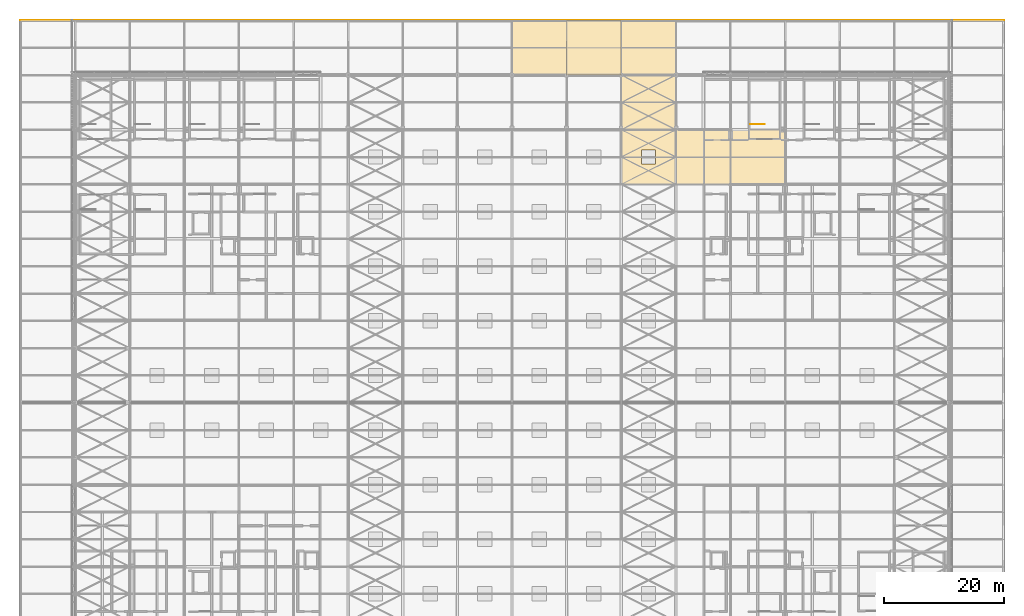
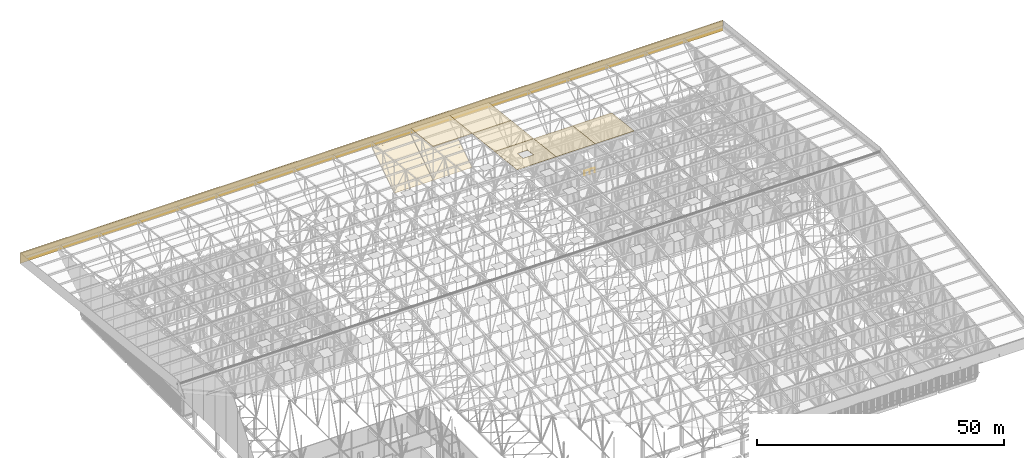
# One storey, part 481 of 500: 9 coverings, 1 railing.
"""IFC4 building model written with IfcOpenShell, lengths in metres."""

from ifc_helpers import new_model, si_unit, direction, frame, origin, origin_2d, place, context, subcontext, project, spatial, polyline, rectangle, circle, outline, extrude, material, layer, layer_set, type_object, element, save


model = new_model("IFC4")

# Units and contexts
model_context = context("Model", 3, precision=1e-05, world=origin(), true_north=direction((0.0, 1.0)))
body_context = subcontext(model_context, "Body", "Model", "MODEL_VIEW")
ifc_project = project(units=[si_unit("LENGTHUNIT", "METRE"), si_unit("AREAUNIT", "SQUARE_METRE"), si_unit("VOLUMEUNIT", "CUBIC_METRE"), si_unit("PLANEANGLEUNIT", "RADIAN"), si_unit("MASSUNIT", "GRAM", prefix="KILO")], contexts=[model_context])

# Site, building, storey
site_placement = place(None, origin())
site = spatial("IfcSite", under=ifc_project, at=site_placement, CompositionType="ELEMENT")
building_placement = place(site_placement, origin())
building = spatial("IfcBuilding", under=site, at=building_placement, Name="Shirokan Park Arena", CompositionType="ELEMENT")
storey_placement = place(building_placement, frame((0.0, 0.0, 29.1201171875)))
storey = spatial("IfcBuildingStorey", under=building, at=storey_placement, Name="L06", CompositionType="ELEMENT", Elevation=29.1201171875)

# Coverings
ifc_material_1 = material(Name="Bituminous roofing membrane")
ifc_layer_1 = layer(ifc_material_1, 0.010009765625, Name="Bituminous roofing membrane")
ifc_material_2 = material(Name="Mineral wool insulation")
ifc_layer_2 = layer(ifc_material_2, 0.050048828125, Name="Mineral wool insulation")
ifc_layer_set_1 = layer_set([ifc_layer_1, ifc_layer_2], Name="Bituminous roofing membrane + Mineral wool insulation")
covering_type_1 = type_object("IfcCoveringType", Name="Roofing membrane 60", PredefinedType="ROOFING", material=ifc_layer_set_1)
covering_1_placement = place(storey_placement, frame((81.89990234375, 109.199951171875, 12.9306640625), z_axis=(0.0, 0.113549598152, 0.993532328996), x_axis=(1.0, 0.0, 0.0)))
element("IfcCovering", 1, at=covering_1_placement, inside=storey, type_object=covering_type_1, Name="Roofing", PredefinedType="ROOFING", context=body_context, shape_type="SweptSolid", body=[
    extrude(outline(polyline([(0.0, 0.0), (9.10009765625, 0.0), (9.10009765625, 9.15933723611117), (0.0, 9.15933723611117), (0.0, 0.0)])), origin(), (0.0, 0.0, -1.0), 0.06005859375),
])
covering_2_placement = place(storey_placement, frame((91.0, 91.0, 15.0107421875), z_axis=(0.0, 0.113549598152, 0.993532328996), x_axis=(1.0, 0.0, 0.0)))
element("IfcCovering", 2, at=covering_2_placement, inside=storey, type_object=covering_type_1, Name="Roofing", PredefinedType="ROOFING", context=body_context, shape_type="SweptSolid", body=[
    extrude(outline(polyline([(0.0, 0.0), (9.10009765625, 0.0), (9.10009765625, 9.15933723611117), (0.0, 9.15933723611117), (0.0, 0.0)]), holes=[polyline([(5.75, 3.371926254389353), (5.75, 5.78743870379168), (3.35009765625, 5.78743870379168), (3.35009765625, 3.371926254389353), (5.75, 3.371926254389353)])]), origin(), (0.0, 0.0, -1.0), 0.06005859375),
])
covering_3_placement = place(storey_placement, frame((91.0, 100.10009765625, 13.970703125), z_axis=(0.0, 0.113552605302, 0.993531985308), x_axis=(1.0, 0.0, 0.0)))
element("IfcCovering", 3, at=covering_3_placement, inside=storey, type_object=covering_type_1, Name="Roofing", PredefinedType="ROOFING", context=body_context, shape_type="SweptSolid", body=[
    extrude(outline(polyline([(0.0, 0.0), (9.10009765625, 0.0), (9.10009765625, 9.159094674549367), (0.0, 9.159094674549367), (0.0, 0.0)])), origin(), (0.0, 0.0, -1.0), 0.06005859375),
])
covering_4_placement = place(storey_placement, frame((91.0, 109.199951171875, 12.9306640625), z_axis=(0.0, 0.113549598152, 0.993532328996), x_axis=(1.0, 0.0, 0.0)))
element("IfcCovering", 4, at=covering_4_placement, inside=storey, type_object=covering_type_1, Name="Roofing", PredefinedType="ROOFING", context=body_context, shape_type="SweptSolid", body=[
    extrude(outline(polyline([(0.0, 0.0), (9.10009765625, 0.0), (9.10009765625, 9.15933723611117), (0.0, 9.15933723611117), (0.0, 0.0)])), origin(), (0.0, 0.0, -1.0), 0.06005859375),
])
covering_5_placement = place(storey_placement, frame((100.10009765625, 91.0, 15.0107421875), z_axis=(0.0, 0.113549598152, 0.993532328996), x_axis=(1.0, 0.0, 0.0)))
element("IfcCovering", 5, at=covering_5_placement, inside=storey, type_object=covering_type_1, Name="Roofing", PredefinedType="ROOFING", context=body_context, shape_type="SweptSolid", body=[
    extrude(outline(polyline([(0.0, 0.0), (9.099853515625, 0.0), (9.099853515625, 9.15933723611117), (0.0, 9.15933723611117), (0.0, 0.0)])), origin(), (0.0, 0.0, -1.0), 0.06005859375),
])
covering_6_placement = place(storey_placement, frame((109.199951171875, 91.0, 15.0107421875), z_axis=(0.0, 0.113549598152, 0.993532328996), x_axis=(1.0, 0.0, 0.0)))
element("IfcCovering", 6, at=covering_6_placement, inside=storey, type_object=covering_type_1, Name="Roofing", PredefinedType="ROOFING", context=body_context, shape_type="SweptSolid", body=[
    extrude(outline(polyline([(0.0, 0.0), (9.10009765625, 0.0), (9.10009765625, 9.15933723611117), (0.0, 9.15933723611117), (0.0, 0.0)])), origin(), (0.0, 0.0, -1.0), 0.06005859375),
])

# Railing
ifc_material_3 = material(Name="Stainless steel", Category="steel")
railing_type = type_object("IfcRailingType", Name="Stair well guard 1100", PredefinedType="GUARDRAIL", material=ifc_material_3)
railing_placement = place(storey_placement, frame((112.5, 101.0, 0.0)))
element("IfcRailing", 7, at=railing_placement, inside=storey, type_object=railing_type, Name="Guard Exit Stair 3.D L06", PredefinedType="GUARDRAIL", context=body_context, shape_type="SweptSolid", body=[
    extrude(circle(Radius=0.02490234375, at=origin_2d()), frame((0.0, 0.0, 1.0771484375), z_axis=(1.0, 0.0, 0.0), x_axis=(0.0, 1.0, 0.0)), (0.0, 0.0, 1.0), 2.39990234375),
    extrude(circle(Radius=0.02490234375, at=origin_2d()), origin(), (0.0, 0.0, 1.0), 1.052001953125),
    extrude(circle(Radius=0.02490234375, at=origin_2d()), frame((1.199951171875, 0.0, 0.0)), (0.0, 0.0, 1.0), 1.052001953125),
    extrude(circle(Radius=0.02490234375, at=origin_2d()), frame((2.39990234375, 0.0, 0.0)), (0.0, 0.0, 1.0), 1.052001953125),
])

# Coverings
ifc_material_4 = material(Name="Timber soffit boards (cedar)", Category="wood")
ifc_layer_3 = layer(ifc_material_4, 0.030029296875)
ifc_layer_set_2 = layer_set([ifc_layer_3], Name="Timber soffit boards (cedar) 30 mm")
covering_type_2 = type_object("IfcCoveringType", Name="Timber boarded soffit panel", PredefinedType="CLADDING", material=ifc_layer_set_2)
covering_7_placement = place(storey_placement, origin())
element("IfcCovering", 8, at=covering_7_placement, inside=storey, type_object=covering_type_2, Name="Eave soffit north bay 9", PredefinedType="CLADDING", context=body_context, shape_type="SweptSolid", body=[
    extrude(outline(polyline([(0.0, 0.0), (0.14269332184793307, 0.0), (0.14269332184793307, -9.100000000000009), (0.0, -9.100000000000009), (0.0, 0.0)])), frame((81.89990234375, 109.320068359375, 4.60302734375), z_axis=(0.0, -0.541090493936, 0.840964373426), x_axis=(0.0, -0.840964373426, -0.541090493936)), (0.0, 0.0, -1.0), 0.030029296875),
    extrude(outline(polyline([(0.0, 0.0), (0.1426933218479331, 0.0), (0.1426933218479331, -9.10000000000001), (0.0, -9.10000000000001), (0.0, 0.0)])), frame((72.800048828125, 118.179931640625, 10.3037109375), z_axis=(0.0, -0.541090493936, 0.840964373426), x_axis=(0.0, 0.840964373426, 0.541090493936)), (0.0, 0.0, -1.0), 0.030029296875),
    extrude(outline(polyline([(0.0, 0.0), (0.12000000000000455, 0.0), (0.12000000000000455, -10.535473996759716), (0.0, -10.535473996759716), (0.0, 0.0)])), frame((81.89990234375, 109.320068359375, 4.60302734375), z_axis=(0.0, -0.541084340558, 0.84096833258), x_axis=(-1.0, 0.0, 0.0)), (0.0, 0.0, -1.0), 0.030029296875),
    extrude(outline(polyline([(0.0, 0.0), (0.12000000000000455, 0.0), (0.12000000000000455, -10.535473996759716), (0.0, -10.535473996759716), (0.0, 0.0)])), frame((72.800048828125, 118.179931640625, 10.3037109375), z_axis=(0.0, -0.541084340558, 0.84096833258), x_axis=(1.0, 0.0, 0.0)), (0.0, 0.0, -1.0), 0.030029296875),
    extrude(outline(polyline([(0.0, 0.0), (10.535473996759718, 0.0), (10.535473996759718, -0.183329999999998), (0.0, -0.183329999999998), (0.0, 0.0)])), frame((73.103271484375, 118.179931640625, 10.3037109375), z_axis=(0.0, -0.541084340558, 0.84096833258), x_axis=(0.0, -0.84096833258, -0.541084340558)), (0.0, 0.0, -1.0), 0.030029296875),
    extrude(outline(polyline([(0.0, 0.0), (10.535473996759718, 0.0), (10.535473996759718, -0.3033400000000057), (0.0, -0.3033400000000057), (0.0, 0.0)])), frame((73.40673828125, 118.179931640625, 10.3037109375), z_axis=(0.0, -0.541084340558, 0.84096833258), x_axis=(0.0, -0.84096833258, -0.541084340558)), (0.0, 0.0, -1.0), 0.030029296875),
    extrude(outline(polyline([(0.0, 0.0), (10.535473996759718, 0.0), (10.535473996759718, -0.30332999999998833), (0.0, -0.30332999999998833), (0.0, 0.0)])), frame((73.7099609375, 118.179931640625, 10.3037109375), z_axis=(0.0, -0.541084340558, 0.84096833258), x_axis=(0.0, -0.84096833258, -0.541084340558)), (0.0, 0.0, -1.0), 0.030029296875),
    extrude(outline(polyline([(0.0, 0.0), (10.535473996759718, 0.0), (10.535473996759718, -0.30333000000000254), (0.0, -0.30333000000000254), (0.0, 0.0)])), frame((74.013427734375, 118.179931640625, 10.3037109375), z_axis=(0.0, -0.541084340558, 0.84096833258), x_axis=(0.0, -0.84096833258, -0.541084340558)), (0.0, 0.0, -1.0), 0.030029296875),
    extrude(outline(polyline([(0.0, 0.0), (10.535473996759718, 0.0), (10.535473996759718, -0.3033400000000057), (0.0, -0.3033400000000057), (0.0, 0.0)])), frame((74.316650390625, 118.179931640625, 10.3037109375), z_axis=(0.0, -0.541084340558, 0.84096833258), x_axis=(0.0, -0.84096833258, -0.541084340558)), (0.0, 0.0, -1.0), 0.030029296875),
    extrude(outline(polyline([(0.0, 0.0), (10.535473996759718, 0.0), (10.535473996759718, -0.30333000000000254), (0.0, -0.30333000000000254), (0.0, 0.0)])), frame((74.6201171875, 118.179931640625, 10.3037109375), z_axis=(0.0, -0.541084340558, 0.84096833258), x_axis=(0.0, -0.84096833258, -0.541084340558)), (0.0, 0.0, -1.0), 0.030029296875),
    extrude(outline(polyline([(0.0, 0.0), (10.535473996759718, 0.0), (10.535473996759718, -0.30333000000000254), (0.0, -0.30333000000000254), (0.0, 0.0)])), frame((74.92333984375, 118.179931640625, 10.3037109375), z_axis=(0.0, -0.541084340558, 0.84096833258), x_axis=(0.0, -0.84096833258, -0.541084340558)), (0.0, 0.0, -1.0), 0.030029296875),
    extrude(outline(polyline([(0.0, 0.0), (10.535473996759718, 0.0), (10.535473996759718, -0.3033399999999915), (0.0, -0.3033399999999915), (0.0, 0.0)])), frame((75.2265625, 118.179931640625, 10.3037109375), z_axis=(0.0, -0.541084340558, 0.84096833258), x_axis=(0.0, -0.84096833258, -0.541084340558)), (0.0, 0.0, -1.0), 0.030029296875),
    extrude(outline(polyline([(0.0, 0.0), (10.535473996759718, 0.0), (10.535473996759718, -0.30333000000000254), (0.0, -0.30333000000000254), (0.0, 0.0)])), frame((75.530029296875, 118.179931640625, 10.3037109375), z_axis=(0.0, -0.541084340558, 0.84096833258), x_axis=(0.0, -0.84096833258, -0.541084340558)), (0.0, 0.0, -1.0), 0.030029296875),
    extrude(outline(polyline([(0.0, 0.0), (10.535473996759718, 0.0), (10.535473996759718, -0.30333000000000254), (0.0, -0.30333000000000254), (0.0, 0.0)])), frame((75.833251953125, 118.179931640625, 10.3037109375), z_axis=(0.0, -0.541084340558, 0.84096833258), x_axis=(0.0, -0.84096833258, -0.541084340558)), (0.0, 0.0, -1.0), 0.030029296875),
    extrude(outline(polyline([(0.0, 0.0), (10.535473996759718, 0.0), (10.535473996759718, -0.3033399999999915), (0.0, -0.3033399999999915), (0.0, 0.0)])), frame((76.13671875, 118.179931640625, 10.3037109375), z_axis=(0.0, -0.541084340558, 0.84096833258), x_axis=(0.0, -0.84096833258, -0.541084340558)), (0.0, 0.0, -1.0), 0.030029296875),
    extrude(outline(polyline([(0.0, 0.0), (10.535473996759718, 0.0), (10.535473996759718, -0.30333000000000254), (0.0, -0.30333000000000254), (0.0, 0.0)])), frame((76.43994140625, 118.179931640625, 10.3037109375), z_axis=(0.0, -0.541084340558, 0.84096833258), x_axis=(0.0, -0.84096833258, -0.541084340558)), (0.0, 0.0, -1.0), 0.030029296875),
    extrude(outline(polyline([(0.0, 0.0), (10.535473996759718, 0.0), (10.535473996759718, -0.30333000000000254), (0.0, -0.30333000000000254), (0.0, 0.0)])), frame((76.743408203125, 118.179931640625, 10.3037109375), z_axis=(0.0, -0.541084340558, 0.84096833258), x_axis=(0.0, -0.84096833258, -0.541084340558)), (0.0, 0.0, -1.0), 0.030029296875),
    extrude(outline(polyline([(0.0, 0.0), (10.535473996759718, 0.0), (10.535473996759718, -0.3033400000000057), (0.0, -0.3033400000000057), (0.0, 0.0)])), frame((77.046630859375, 118.179931640625, 10.3037109375), z_axis=(0.0, -0.541084340558, 0.84096833258), x_axis=(0.0, -0.84096833258, -0.541084340558)), (0.0, 0.0, -1.0), 0.030029296875),
    extrude(outline(polyline([(0.0, 0.0), (10.535473996759718, 0.0), (10.535473996759718, -0.30332999999998833), (0.0, -0.30332999999998833), (0.0, 0.0)])), frame((77.35009765625, 118.179931640625, 10.3037109375), z_axis=(0.0, -0.541084340558, 0.84096833258), x_axis=(0.0, -0.84096833258, -0.541084340558)), (0.0, 0.0, -1.0), 0.030029296875),
    extrude(outline(polyline([(0.0, 0.0), (10.535473996759718, 0.0), (10.535473996759718, -0.30333000000000254), (0.0, -0.30333000000000254), (0.0, 0.0)])), frame((77.6533203125, 118.179931640625, 10.3037109375), z_axis=(0.0, -0.541084340558, 0.84096833258), x_axis=(0.0, -0.84096833258, -0.541084340558)), (0.0, 0.0, -1.0), 0.030029296875),
    extrude(outline(polyline([(0.0, 0.0), (10.535473996759718, 0.0), (10.535473996759718, -0.3033400000000057), (0.0, -0.3033400000000057), (0.0, 0.0)])), frame((77.956787109375, 118.179931640625, 10.3037109375), z_axis=(0.0, -0.541084340558, 0.84096833258), x_axis=(0.0, -0.84096833258, -0.541084340558)), (0.0, 0.0, -1.0), 0.030029296875),
    extrude(outline(polyline([(0.0, 0.0), (10.535473996759718, 0.0), (10.535473996759718, -0.30333000000000254), (0.0, -0.30333000000000254), (0.0, 0.0)])), frame((78.260009765625, 118.179931640625, 10.3037109375), z_axis=(0.0, -0.541084340558, 0.84096833258), x_axis=(0.0, -0.84096833258, -0.541084340558)), (0.0, 0.0, -1.0), 0.030029296875),
    extrude(outline(polyline([(0.0, 0.0), (10.535473996759718, 0.0), (10.535473996759718, -0.30332999999998833), (0.0, -0.30332999999998833), (0.0, 0.0)])), frame((78.563232421875, 118.179931640625, 10.3037109375), z_axis=(0.0, -0.541084340558, 0.84096833258), x_axis=(0.0, -0.84096833258, -0.541084340558)), (0.0, 0.0, -1.0), 0.030029296875),
    extrude(outline(polyline([(0.0, 0.0), (10.535473996759718, 0.0), (10.535473996759718, -0.3033400000000057), (0.0, -0.3033400000000057), (0.0, 0.0)])), frame((78.86669921875, 118.179931640625, 10.3037109375), z_axis=(0.0, -0.541084340558, 0.84096833258), x_axis=(0.0, -0.84096833258, -0.541084340558)), (0.0, 0.0, -1.0), 0.030029296875),
    extrude(outline(polyline([(0.0, 0.0), (10.535473996759718, 0.0), (10.535473996759718, -0.30333000000000254), (0.0, -0.30333000000000254), (0.0, 0.0)])), frame((79.169921875, 118.179931640625, 10.3037109375), z_axis=(0.0, -0.541084340558, 0.84096833258), x_axis=(0.0, -0.84096833258, -0.541084340558)), (0.0, 0.0, -1.0), 0.030029296875),
    extrude(outline(polyline([(0.0, 0.0), (10.535473996759718, 0.0), (10.535473996759718, -0.30333000000000254), (0.0, -0.30333000000000254), (0.0, 0.0)])), frame((79.473388671875, 118.179931640625, 10.3037109375), z_axis=(0.0, -0.541084340558, 0.84096833258), x_axis=(0.0, -0.84096833258, -0.541084340558)), (0.0, 0.0, -1.0), 0.030029296875),
    extrude(outline(polyline([(0.0, 0.0), (10.53547399675972, 0.0), (10.53547399675972, -0.3033399999999915), (0.0, -0.3033399999999915), (0.0, 0.0)])), frame((79.776611328125, 118.179931640625, 10.3037109375), z_axis=(0.0, -0.541084340558, 0.84096833258), x_axis=(0.0, -0.84096833258, -0.541084340558)), (0.0, 0.0, -1.0), 0.030029296875),
    extrude(outline(polyline([(0.0, 0.0), (10.535473996759718, 0.0), (10.535473996759718, -0.30333000000000254), (0.0, -0.30333000000000254), (0.0, 0.0)])), frame((80.080078125, 118.179931640625, 10.3037109375), z_axis=(0.0, -0.541084340558, 0.84096833258), x_axis=(0.0, -0.84096833258, -0.541084340558)), (0.0, 0.0, -1.0), 0.030029296875),
    extrude(outline(polyline([(0.0, 0.0), (10.535473996759718, 0.0), (10.535473996759718, -0.30333000000000254), (0.0, -0.30333000000000254), (0.0, 0.0)])), frame((80.38330078125, 118.179931640625, 10.3037109375), z_axis=(0.0, -0.541084340558, 0.84096833258), x_axis=(0.0, -0.84096833258, -0.541084340558)), (0.0, 0.0, -1.0), 0.030029296875),
    extrude(outline(polyline([(0.0, 0.0), (10.535473996759718, 0.0), (10.535473996759718, -0.3033400000000057), (0.0, -0.3033400000000057), (0.0, 0.0)])), frame((80.686767578125, 118.179931640625, 10.3037109375), z_axis=(0.0, -0.541084340558, 0.84096833258), x_axis=(0.0, -0.84096833258, -0.541084340558)), (0.0, 0.0, -1.0), 0.030029296875),
    extrude(outline(polyline([(0.0, 0.0), (10.535473996759718, 0.0), (10.535473996759718, -0.30332999999998833), (0.0, -0.30332999999998833), (0.0, 0.0)])), frame((80.989990234375, 118.179931640625, 10.3037109375), z_axis=(0.0, -0.541084340558, 0.84096833258), x_axis=(0.0, -0.84096833258, -0.541084340558)), (0.0, 0.0, -1.0), 0.030029296875),
    extrude(outline(polyline([(0.0, 0.0), (10.535473996759718, 0.0), (10.535473996759718, -0.30333000000000254), (0.0, -0.30333000000000254), (0.0, 0.0)])), frame((81.293212890625, 118.179931640625, 10.3037109375), z_axis=(0.0, -0.541084340558, 0.84096833258), x_axis=(0.0, -0.84096833258, -0.541084340558)), (0.0, 0.0, -1.0), 0.030029296875),
    extrude(outline(polyline([(0.0, 0.0), (10.535473996759718, 0.0), (10.535473996759718, -0.3033400000000057), (0.0, -0.3033400000000057), (0.0, 0.0)])), frame((81.5966796875, 118.179931640625, 10.3037109375), z_axis=(0.0, -0.541084340558, 0.84096833258), x_axis=(0.0, -0.84096833258, -0.541084340558)), (0.0, 0.0, -1.0), 0.030029296875),
    extrude(outline(polyline([(0.0, 0.0), (10.535473996759718, 0.0), (10.535473996759718, -0.183329999999998), (0.0, -0.183329999999998), (0.0, 0.0)])), frame((81.780029296875, 118.179931640625, 10.3037109375), z_axis=(0.0, -0.541084340558, 0.84096833258), x_axis=(0.0, -0.84096833258, -0.541084340558)), (0.0, 0.0, -1.0), 0.030029296875),
])
covering_8_placement = place(storey_placement, origin())
element("IfcCovering", 9, at=covering_8_placement, inside=storey, type_object=covering_type_2, Name="Eave soffit north bay 10", PredefinedType="CLADDING", context=body_context, shape_type="SweptSolid", body=[
    extrude(outline(polyline([(0.0, 0.0), (0.1426933218479331, 0.0), (0.1426933218479331, -9.099999999999996), (0.0, -9.099999999999996), (0.0, 0.0)])), frame((91.0, 109.320068359375, 4.60302734375), z_axis=(0.0, -0.541090493936, 0.840964373426), x_axis=(0.0, -0.840964373426, -0.541090493936)), (0.0, 0.0, -1.0), 0.030029296875),
    extrude(outline(polyline([(0.0, 0.0), (0.1426933218479331, 0.0), (0.1426933218479331, -9.099999999999996), (0.0, -9.099999999999996), (0.0, 0.0)])), frame((81.89990234375, 118.179931640625, 10.3037109375), z_axis=(0.0, -0.541090493936, 0.840964373426), x_axis=(0.0, 0.840964373426, 0.541090493936)), (0.0, 0.0, -1.0), 0.030029296875),
    extrude(outline(polyline([(0.0, 0.0), (0.12000000000000455, 0.0), (0.12000000000000455, -10.535473996759716), (0.0, -10.535473996759716), (0.0, 0.0)])), frame((91.0, 109.320068359375, 4.60302734375), z_axis=(0.0, -0.541084340558, 0.84096833258), x_axis=(-1.0, 0.0, 0.0)), (0.0, 0.0, -1.0), 0.030029296875),
    extrude(outline(polyline([(0.0, 0.0), (0.11999999999999034, 0.0), (0.11999999999999034, -10.535473996759718), (0.0, -10.535473996759718), (0.0, 0.0)])), frame((81.89990234375, 118.179931640625, 10.3037109375), z_axis=(0.0, -0.541084340558, 0.84096833258), x_axis=(1.0, 0.0, 0.0)), (0.0, 0.0, -1.0), 0.030029296875),
    extrude(outline(polyline([(0.0, 0.0), (10.535473996759718, 0.0), (10.535473996759718, -0.183329999999998), (0.0, -0.183329999999998), (0.0, 0.0)])), frame((82.203369140625, 118.179931640625, 10.3037109375), z_axis=(0.0, -0.541084340558, 0.84096833258), x_axis=(0.0, -0.84096833258, -0.541084340558)), (0.0, 0.0, -1.0), 0.030029296875),
    extrude(outline(polyline([(0.0, 0.0), (10.535473996759718, 0.0), (10.535473996759718, -0.3033400000000057), (0.0, -0.3033400000000057), (0.0, 0.0)])), frame((82.506591796875, 118.179931640625, 10.3037109375), z_axis=(0.0, -0.541084340558, 0.84096833258), x_axis=(0.0, -0.84096833258, -0.541084340558)), (0.0, 0.0, -1.0), 0.030029296875),
    extrude(outline(polyline([(0.0, 0.0), (10.535473996759718, 0.0), (10.535473996759718, -0.30333000000000254), (0.0, -0.30333000000000254), (0.0, 0.0)])), frame((82.81005859375, 118.179931640625, 10.3037109375), z_axis=(0.0, -0.541084340558, 0.84096833258), x_axis=(0.0, -0.84096833258, -0.541084340558)), (0.0, 0.0, -1.0), 0.030029296875),
    extrude(outline(polyline([(0.0, 0.0), (10.535473996759718, 0.0), (10.535473996759718, -0.30333000000000254), (0.0, -0.30333000000000254), (0.0, 0.0)])), frame((83.11328125, 118.179931640625, 10.3037109375), z_axis=(0.0, -0.541084340558, 0.84096833258), x_axis=(0.0, -0.84096833258, -0.541084340558)), (0.0, 0.0, -1.0), 0.030029296875),
    extrude(outline(polyline([(0.0, 0.0), (10.53547399675972, 0.0), (10.53547399675972, -0.3033399999999915), (0.0, -0.3033399999999915), (0.0, 0.0)])), frame((83.416748046875, 118.179931640625, 10.3037109375), z_axis=(0.0, -0.541084340558, 0.84096833258), x_axis=(0.0, -0.84096833258, -0.541084340558)), (0.0, 0.0, -1.0), 0.030029296875),
    extrude(outline(polyline([(0.0, 0.0), (10.535473996759718, 0.0), (10.535473996759718, -0.30333000000000254), (0.0, -0.30333000000000254), (0.0, 0.0)])), frame((83.719970703125, 118.179931640625, 10.3037109375), z_axis=(0.0, -0.541084340558, 0.84096833258), x_axis=(0.0, -0.84096833258, -0.541084340558)), (0.0, 0.0, -1.0), 0.030029296875),
    extrude(outline(polyline([(0.0, 0.0), (10.535473996759718, 0.0), (10.535473996759718, -0.30333000000000254), (0.0, -0.30333000000000254), (0.0, 0.0)])), frame((84.0234375, 118.179931640625, 10.3037109375), z_axis=(0.0, -0.541084340558, 0.84096833258), x_axis=(0.0, -0.84096833258, -0.541084340558)), (0.0, 0.0, -1.0), 0.030029296875),
    extrude(outline(polyline([(0.0, 0.0), (10.535473996759718, 0.0), (10.535473996759718, -0.3033399999999915), (0.0, -0.3033399999999915), (0.0, 0.0)])), frame((84.32666015625, 118.179931640625, 10.3037109375), z_axis=(0.0, -0.541084340558, 0.84096833258), x_axis=(0.0, -0.84096833258, -0.541084340558)), (0.0, 0.0, -1.0), 0.030029296875),
    extrude(outline(polyline([(0.0, 0.0), (10.535473996759718, 0.0), (10.535473996759718, -0.30333000000000254), (0.0, -0.30333000000000254), (0.0, 0.0)])), frame((84.6298828125, 118.179931640625, 10.3037109375), z_axis=(0.0, -0.541084340558, 0.84096833258), x_axis=(0.0, -0.84096833258, -0.541084340558)), (0.0, 0.0, -1.0), 0.030029296875),
    extrude(outline(polyline([(0.0, 0.0), (10.535473996759718, 0.0), (10.535473996759718, -0.30333000000000254), (0.0, -0.30333000000000254), (0.0, 0.0)])), frame((84.933349609375, 118.179931640625, 10.3037109375), z_axis=(0.0, -0.541084340558, 0.84096833258), x_axis=(0.0, -0.84096833258, -0.541084340558)), (0.0, 0.0, -1.0), 0.030029296875),
    extrude(outline(polyline([(0.0, 0.0), (10.535473996759718, 0.0), (10.535473996759718, -0.3033400000000057), (0.0, -0.3033400000000057), (0.0, 0.0)])), frame((85.236572265625, 118.179931640625, 10.3037109375), z_axis=(0.0, -0.541084340558, 0.84096833258), x_axis=(0.0, -0.84096833258, -0.541084340558)), (0.0, 0.0, -1.0), 0.030029296875),
    extrude(outline(polyline([(0.0, 0.0), (10.535473996759718, 0.0), (10.535473996759718, -0.30333000000000254), (0.0, -0.30333000000000254), (0.0, 0.0)])), frame((85.5400390625, 118.179931640625, 10.3037109375), z_axis=(0.0, -0.541084340558, 0.84096833258), x_axis=(0.0, -0.84096833258, -0.541084340558)), (0.0, 0.0, -1.0), 0.030029296875),
    extrude(outline(polyline([(0.0, 0.0), (10.535473996759718, 0.0), (10.535473996759718, -0.30332999999998833), (0.0, -0.30332999999998833), (0.0, 0.0)])), frame((85.84326171875, 118.179931640625, 10.3037109375), z_axis=(0.0, -0.541084340558, 0.84096833258), x_axis=(0.0, -0.84096833258, -0.541084340558)), (0.0, 0.0, -1.0), 0.030029296875),
    extrude(outline(polyline([(0.0, 0.0), (10.535473996759718, 0.0), (10.535473996759718, -0.3033400000000057), (0.0, -0.3033400000000057), (0.0, 0.0)])), frame((86.146728515625, 118.179931640625, 10.3037109375), z_axis=(0.0, -0.541084340558, 0.84096833258), x_axis=(0.0, -0.84096833258, -0.541084340558)), (0.0, 0.0, -1.0), 0.030029296875),
    extrude(outline(polyline([(0.0, 0.0), (10.535473996759718, 0.0), (10.535473996759718, -0.30333000000000254), (0.0, -0.30333000000000254), (0.0, 0.0)])), frame((86.449951171875, 118.179931640625, 10.3037109375), z_axis=(0.0, -0.541084340558, 0.84096833258), x_axis=(0.0, -0.84096833258, -0.541084340558)), (0.0, 0.0, -1.0), 0.030029296875),
    extrude(outline(polyline([(0.0, 0.0), (10.535473996759718, 0.0), (10.535473996759718, -0.30333000000000254), (0.0, -0.30333000000000254), (0.0, 0.0)])), frame((86.75341796875, 118.179931640625, 10.3037109375), z_axis=(0.0, -0.541084340558, 0.84096833258), x_axis=(0.0, -0.84096833258, -0.541084340558)), (0.0, 0.0, -1.0), 0.030029296875),
    extrude(outline(polyline([(0.0, 0.0), (10.53547399675972, 0.0), (10.53547399675972, -0.3033399999999915), (0.0, -0.3033399999999915), (0.0, 0.0)])), frame((87.056640625, 118.179931640625, 10.3037109375), z_axis=(0.0, -0.541084340558, 0.84096833258), x_axis=(0.0, -0.84096833258, -0.541084340558)), (0.0, 0.0, -1.0), 0.030029296875),
    extrude(outline(polyline([(0.0, 0.0), (10.535473996759718, 0.0), (10.535473996759718, -0.30333000000000254), (0.0, -0.30333000000000254), (0.0, 0.0)])), frame((87.360107421875, 118.179931640625, 10.3037109375), z_axis=(0.0, -0.541084340558, 0.84096833258), x_axis=(0.0, -0.84096833258, -0.541084340558)), (0.0, 0.0, -1.0), 0.030029296875),
    extrude(outline(polyline([(0.0, 0.0), (10.535473996759718, 0.0), (10.535473996759718, -0.30333000000000254), (0.0, -0.30333000000000254), (0.0, 0.0)])), frame((87.663330078125, 118.179931640625, 10.3037109375), z_axis=(0.0, -0.541084340558, 0.84096833258), x_axis=(0.0, -0.84096833258, -0.541084340558)), (0.0, 0.0, -1.0), 0.030029296875),
    extrude(outline(polyline([(0.0, 0.0), (10.535473996759718, 0.0), (10.535473996759718, -0.3033399999999915), (0.0, -0.3033399999999915), (0.0, 0.0)])), frame((87.966552734375, 118.179931640625, 10.3037109375), z_axis=(0.0, -0.541084340558, 0.84096833258), x_axis=(0.0, -0.84096833258, -0.541084340558)), (0.0, 0.0, -1.0), 0.030029296875),
    extrude(outline(polyline([(0.0, 0.0), (10.535473996759718, 0.0), (10.535473996759718, -0.30333000000000254), (0.0, -0.30333000000000254), (0.0, 0.0)])), frame((88.27001953125, 118.179931640625, 10.3037109375), z_axis=(0.0, -0.541084340558, 0.84096833258), x_axis=(0.0, -0.84096833258, -0.541084340558)), (0.0, 0.0, -1.0), 0.030029296875),
    extrude(outline(polyline([(0.0, 0.0), (10.535473996759718, 0.0), (10.535473996759718, -0.30333000000000254), (0.0, -0.30333000000000254), (0.0, 0.0)])), frame((88.5732421875, 118.179931640625, 10.3037109375), z_axis=(0.0, -0.541084340558, 0.84096833258), x_axis=(0.0, -0.84096833258, -0.541084340558)), (0.0, 0.0, -1.0), 0.030029296875),
    extrude(outline(polyline([(0.0, 0.0), (10.535473996759718, 0.0), (10.535473996759718, -0.3033400000000057), (0.0, -0.3033400000000057), (0.0, 0.0)])), frame((88.876708984375, 118.179931640625, 10.3037109375), z_axis=(0.0, -0.541084340558, 0.84096833258), x_axis=(0.0, -0.84096833258, -0.541084340558)), (0.0, 0.0, -1.0), 0.030029296875),
    extrude(outline(polyline([(0.0, 0.0), (10.535473996759718, 0.0), (10.535473996759718, -0.30333000000000254), (0.0, -0.30333000000000254), (0.0, 0.0)])), frame((89.179931640625, 118.179931640625, 10.3037109375), z_axis=(0.0, -0.541084340558, 0.84096833258), x_axis=(0.0, -0.84096833258, -0.541084340558)), (0.0, 0.0, -1.0), 0.030029296875),
    extrude(outline(polyline([(0.0, 0.0), (10.535473996759718, 0.0), (10.535473996759718, -0.30332999999998833), (0.0, -0.30332999999998833), (0.0, 0.0)])), frame((89.4833984375, 118.179931640625, 10.3037109375), z_axis=(0.0, -0.541084340558, 0.84096833258), x_axis=(0.0, -0.84096833258, -0.541084340558)), (0.0, 0.0, -1.0), 0.030029296875),
    extrude(outline(polyline([(0.0, 0.0), (10.535473996759718, 0.0), (10.535473996759718, -0.3033400000000057), (0.0, -0.3033400000000057), (0.0, 0.0)])), frame((89.78662109375, 118.179931640625, 10.3037109375), z_axis=(0.0, -0.541084340558, 0.84096833258), x_axis=(0.0, -0.84096833258, -0.541084340558)), (0.0, 0.0, -1.0), 0.030029296875),
    extrude(outline(polyline([(0.0, 0.0), (10.535473996759718, 0.0), (10.535473996759718, -0.30333000000000254), (0.0, -0.30333000000000254), (0.0, 0.0)])), frame((90.090087890625, 118.179931640625, 10.3037109375), z_axis=(0.0, -0.541084340558, 0.84096833258), x_axis=(0.0, -0.84096833258, -0.541084340558)), (0.0, 0.0, -1.0), 0.030029296875),
    extrude(outline(polyline([(0.0, 0.0), (10.535473996759718, 0.0), (10.535473996759718, -0.30333000000000254), (0.0, -0.30333000000000254), (0.0, 0.0)])), frame((90.393310546875, 118.179931640625, 10.3037109375), z_axis=(0.0, -0.541084340558, 0.84096833258), x_axis=(0.0, -0.84096833258, -0.541084340558)), (0.0, 0.0, -1.0), 0.030029296875),
    extrude(outline(polyline([(0.0, 0.0), (10.53547399675972, 0.0), (10.53547399675972, -0.30333999999999156), (0.0, -0.30333999999999156), (0.0, 0.0)])), frame((90.69677734375, 118.179931640625, 10.3037109375), z_axis=(0.0, -0.541084340558, 0.84096833258), x_axis=(0.0, -0.84096833258, -0.541084340558)), (0.0, 0.0, -1.0), 0.030029296875),
    extrude(outline(polyline([(0.0, 0.0), (10.53547399675972, 0.0), (10.53547399675972, -0.183329999999998), (0.0, -0.183329999999998), (0.0, 0.0)])), frame((90.8798828125, 118.179931640625, 10.3037109375), z_axis=(0.0, -0.541084340558, 0.84096833258), x_axis=(0.0, -0.84096833258, -0.541084340558)), (0.0, 0.0, -1.0), 0.030029296875),
])
ifc_material_5 = material(Name="Timber fascia board (cedar)", Category="wood")
ifc_layer_4 = layer(ifc_material_5, 0.030029296875)
ifc_layer_set_3 = layer_set([ifc_layer_4], Name="Timber fascia board (cedar) 30 mm")
covering_type_3 = type_object("IfcCoveringType", Name="Timber eave fascia 30", PredefinedType="CLADDING", material=ifc_layer_set_3)
covering_9_placement = place(storey_placement, frame((72.800048828125, 118.364990234375, 10.35107421875), z_axis=(0.0, 0.0, 1.0), x_axis=(1.0, 0.0, 0.0)))
element("IfcCovering", 10, at=covering_9_placement, inside=storey, type_object=covering_type_3, Name="Eave fascia north", PredefinedType="CLADDING", context=body_context, shape_type="SweptSolid", body=[
    extrude(rectangle(XDim=163.9599609375, YDim=0.030029296875, at=origin_2d()), origin(), (0.0, 0.0, 1.0), 2.638916015625),
])

save(model, "model.ifc")
